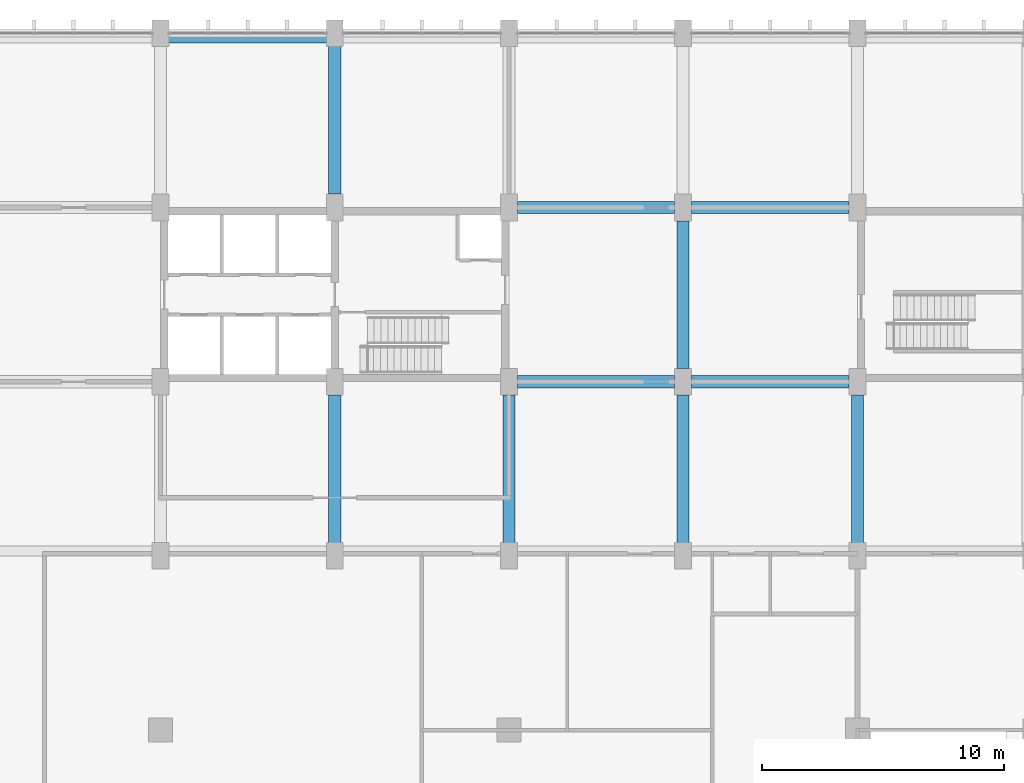
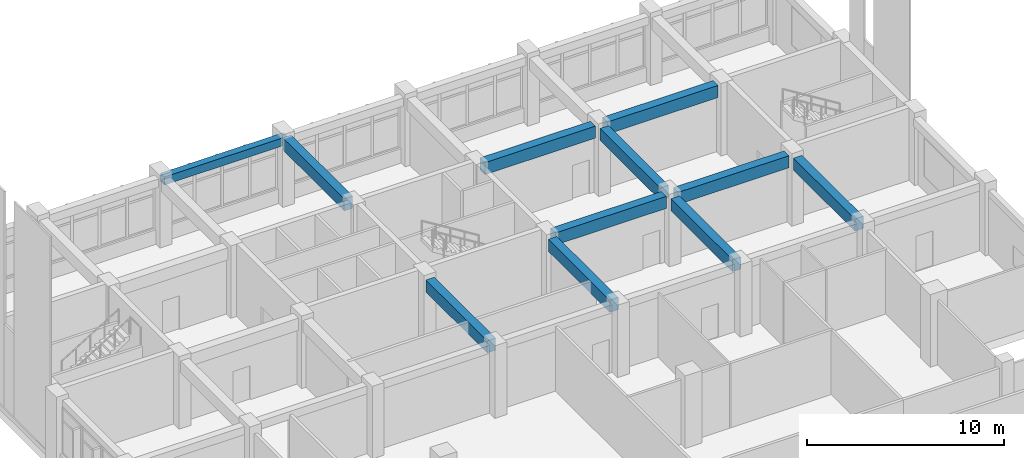
# One storey, part 18 of 52: 11 beams.
"""IFC4 building model written with IfcOpenShell, lengths in metres."""

from ifc_helpers import new_model, si_unit, direction, frame, origin, origin_2d, place, context, subcontext, project, spatial, rectangle, extrude, material, material_profile, profile_set, type_object, element, save


model = new_model("IFC4")

# Units and contexts
model_context = context("Model", 3, precision=1e-05, world=origin(), true_north=direction((0.0, 1.0)))
body_context = subcontext(model_context, "Body", "Model", "MODEL_VIEW")
ifc_project = project(units=[si_unit("LENGTHUNIT", "METRE"), si_unit("AREAUNIT", "SQUARE_METRE"), si_unit("VOLUMEUNIT", "CUBIC_METRE"), si_unit("PLANEANGLEUNIT", "RADIAN"), si_unit("MASSUNIT", "GRAM", prefix="KILO")], contexts=[model_context])

# Site, building, storey
site_placement = place(None, origin())
site = spatial("IfcSite", under=ifc_project, at=site_placement, CompositionType="ELEMENT")
building_placement = place(site_placement, origin())
building = spatial("IfcBuilding", under=site, at=building_placement, Name="Vermilion Court Aquatics Centre", CompositionType="ELEMENT")
storey_placement = place(building_placement, frame((0.0, 0.0, 12.0)))
storey = spatial("IfcBuildingStorey", under=building, at=storey_placement, Name="L02", CompositionType="ELEMENT", Elevation=12.0)

# Beams
ifc_material_1 = material(Name="Concrete 6000 psi", Category="concrete")
ifc_material_profile_1 = material_profile(ifc_material_1, rectangle(XDim=0.39990234375, YDim=0.5, at=origin_2d()), Name="RC 400x500")
ifc_profile_set_1 = profile_set([ifc_material_profile_1], Name="Concrete 6000 psi")
beam_type_1 = type_object("IfcBeamType", Name="North block spandrel beam 400x500", PredefinedType="BEAM", material=ifc_profile_set_1)
beam_1_placement = place(storey_placement, frame((158.39990234375, 115.0, 3.949951171875), z_axis=(1.0, 0.0, 0.0), x_axis=(0.0, 1.0, 0.0)))
element("IfcBeam", 1, at=beam_1_placement, inside=storey, type_object=beam_type_1, Name="Spandrel beam L03 x115.2", PredefinedType="BEAM", context=body_context, shape_type="SweptSolid", body=[
    extrude(rectangle(XDim=0.39990234375, YDim=0.5, at=origin_2d()), origin(), (0.0, 0.0, 1.0), 7.2001953125),
])
ifc_material_2 = material(Name="Concrete 8000 psi", Category="concrete")
ifc_material_profile_2 = material_profile(ifc_material_2, rectangle(XDim=0.5, YDim=0.75, at=origin_2d()), Name="RC 500x750")
ifc_profile_set_2 = profile_set([ifc_material_profile_2], Name="Concrete 8000 psi")
beam_type_2 = type_object("IfcBeamType", Name="North block transfer deck girder 500x750", PredefinedType="BEAM", material=ifc_profile_set_2)
for number, where, z_axis, x_axis, name in (
    (2, (173.14990234375, 100.800048828125, 3.824951171875), (1.0, 0.0, 0.0), (0.0, 1.0, 0.0), "Floor beam L03 x100.8"),
    (3, (180.35009765625, 100.800048828125, 3.824951171875), (1.0, 0.0, 0.0), (0.0, 1.0, 0.0), "Floor beam L03 x100.8"),
    (4, (173.14990234375, 108.0, 3.824951171875), (1.0, 0.0, 0.0), (0.0, 1.0, 0.0), "Floor beam L03 x108"),
    (5, (180.35009765625, 108.0, 3.824951171875), (1.0, 0.0, 0.0), (0.0, 1.0, 0.0), "Floor beam L03 x108"),
):
    element("IfcBeam", number, at=place(storey_placement, frame(where, z_axis=z_axis, x_axis=x_axis)), inside=storey, type_object=beam_type_2, Name=name, PredefinedType="BEAM", context=body_context, shape_type="SweptSolid", body=[
        extrude(rectangle(XDim=0.5, YDim=0.75, at=origin_2d()), origin(), (0.0, 0.0, 1.0), 6.5),
    ])
for number, where, z_axis, x_axis, name in (
    (6, (165.60009765625, 94.0, 3.824951171875), (0.0, 1.0, 0.0), (-1.0, 0.0, 0.0), "Floor beam L03 y165.6"),
    (7, (165.60009765625, 108.550048828125, 3.824951171875), (0.0, 1.0, 0.0), (-1.0, 0.0, 0.0), "Floor beam L03 y165.6"),
    (8, (172.800048828125, 94.0, 3.824951171875), (0.0, 1.0, 0.0), (-1.0, 0.0, 0.0), "Floor beam L03 y172.8"),
    (9, (180.0, 94.0, 3.824951171875), (0.0, 1.0, 0.0), (-1.0, 0.0, 0.0), "Floor beam L03 y180"),
):
    element("IfcBeam", number, at=place(storey_placement, frame(where, z_axis=z_axis, x_axis=x_axis)), inside=storey, type_object=beam_type_2, Name=name, PredefinedType="BEAM", context=body_context, shape_type="SweptSolid", body=[
        extrude(rectangle(XDim=0.5, YDim=0.75, at=origin_2d()), origin(), (0.0, 0.0, 1.0), 6.25),
    ])
beam_2_placement = place(storey_placement, frame((180.0, 101.35009765625, 3.824951171875), z_axis=(0.0, 1.0, 0.0), x_axis=(-1.0, 0.0, 0.0)))
element("IfcBeam", 10, at=beam_2_placement, inside=storey, type_object=beam_type_2, Name="Floor beam L03 y180", PredefinedType="BEAM", context=body_context, shape_type="SweptSolid", body=[
    extrude(rectangle(XDim=0.5, YDim=0.75, at=origin_2d()), origin(), (0.0, 0.0, 1.0), 6.099853515625),
])
beam_3_placement = place(storey_placement, frame((187.199951171875, 94.0, 3.824951171875), z_axis=(0.0, 1.0, 0.0), x_axis=(-1.0, 0.0, 0.0)))
element("IfcBeam", 11, at=beam_3_placement, inside=storey, type_object=beam_type_2, Name="Floor beam L03 y187.2", PredefinedType="BEAM", context=body_context, shape_type="SweptSolid", body=[
    extrude(rectangle(XDim=0.5, YDim=0.75, at=origin_2d()), origin(), (0.0, 0.0, 1.0), 6.25),
])

save(model, "model.ifc")
